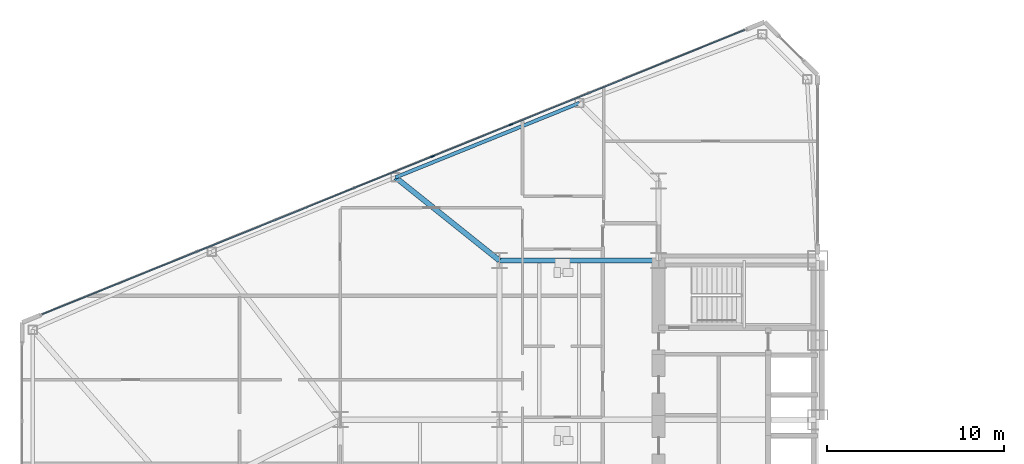
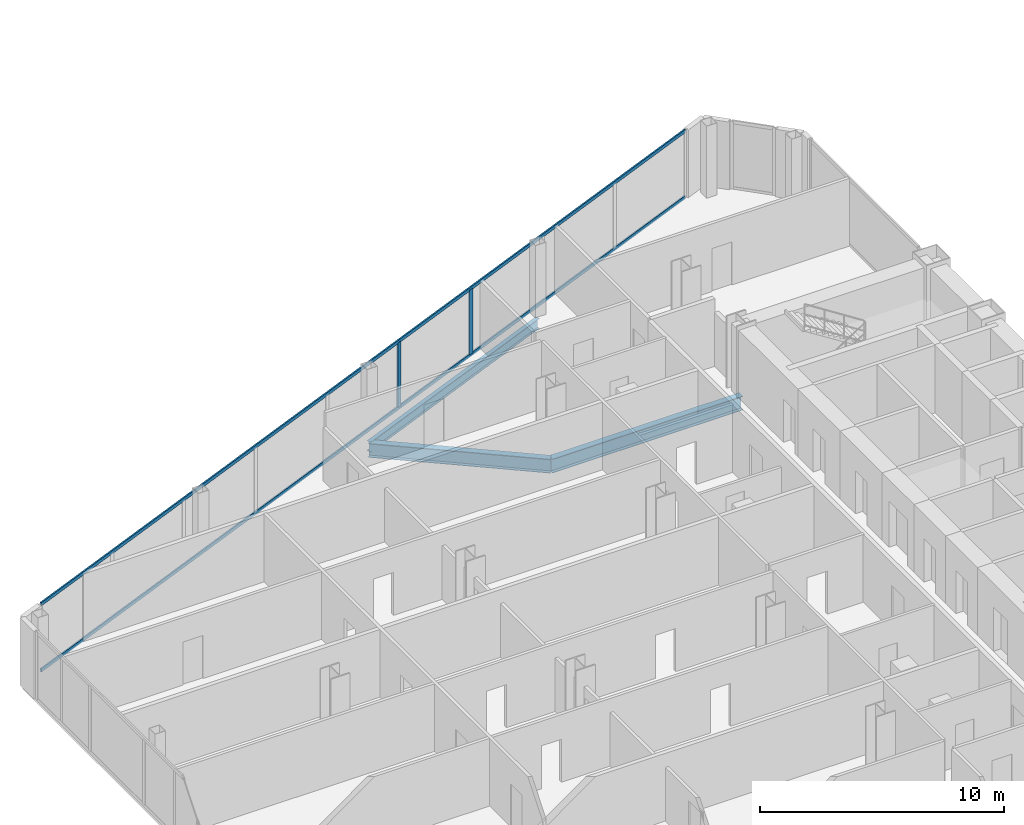
# One storey, part 7 of 25: 4 members, 3 beams, 1 element without a shape of its own.
"""IFC4 building model written with IfcOpenShell, lengths in metres."""

from ifc_helpers import new_model, si_unit, direction, frame, origin, origin_2d, place, context, subcontext, project, spatial, rectangle, i_section, extrude, source, transform, mapped, material, layer, layer_set, material_profile, profile_set, type_object, type_shapes, element, aggregate, save


model = new_model("IFC4")

# Units and contexts
model_context = context("Model", 3, precision=1e-05, world=origin(), true_north=direction((0.0, 1.0)))
body_context = subcontext(model_context, "Body", "Model", "MODEL_VIEW")
ifc_project = project(units=[si_unit("LENGTHUNIT", "METRE"), si_unit("AREAUNIT", "SQUARE_METRE"), si_unit("VOLUMEUNIT", "CUBIC_METRE"), si_unit("PLANEANGLEUNIT", "RADIAN"), si_unit("MASSUNIT", "GRAM", prefix="KILO")], contexts=[model_context])

# Site, building, storey
site_placement = place(None, origin())
site = spatial("IfcSite", under=ifc_project, at=site_placement, CompositionType="ELEMENT")
building_placement = place(site_placement, origin())
building = spatial("IfcBuilding", under=site, at=building_placement, Name="Seokmaru Belvedere", CompositionType="ELEMENT")
storey_placement = place(building_placement, frame((0.0, 0.0, 29.699951171875)))
storey = spatial("IfcBuildingStorey", under=building, at=storey_placement, Name="L07", CompositionType="ELEMENT", Elevation=29.699951171875)

# Beams
ifc_material_1 = material(Name="Steel SM355 (355 MPa)", Category="steel")
ifc_material_profile_1 = material_profile(ifc_material_1, i_section(OverallWidth=0.300048828125, OverallDepth=0.699951171875, WebThickness=0.012939453125, FlangeThickness=0.02392578125, at=origin_2d()), Name="H-700x300x13x24")
ifc_profile_set_1 = profile_set([ifc_material_profile_1], Name="Steel SM355 (355 MPa)")
beam_type_1 = type_object("IfcBeamType", Name="Primary Floor Girder H-700", PredefinedType="BEAM", material=ifc_profile_set_1)
shared_shape_1 = source(origin(), body_context, "Body", "SweptSolid", [
    extrude(i_section(OverallWidth=0.300048828125, OverallDepth=0.699951171875, WebThickness=0.012939453125, FlangeThickness=0.02392578125, at=origin_2d()), origin(), (0.0, 0.0, 1.0), 9.0),
])
beam_1_placement = place(storey_placement, frame((-45.5, 13.5, -0.570068359375), z_axis=(1.0, 0.0, 0.0), x_axis=(0.0, 1.0, 0.0)))
element("IfcBeam", 1, at=beam_1_placement, inside=storey, type_object=beam_type_1, Name="L07 W Wing Primary Girder 4", PredefinedType="BEAM", context=body_context, shape_type="MappedRepresentation", body=[
    mapped(shared_shape_1, transform((0.0, 0.0, 0.0), scale=1.0)),
])
ifc_material_profile_2 = material_profile(ifc_material_1, i_section(OverallWidth=0.199951171875, OverallDepth=0.5, WebThickness=0.010009765625, FlangeThickness=0.01611328125, at=origin_2d()), Name="H-500x200x10x16")
ifc_profile_set_2 = profile_set([ifc_material_profile_2], Name="Steel SM355 (355 MPa)")
beam_type_2 = type_object("IfcBeamType", Name="Perimeter Spandrel Beam H-500", PredefinedType="SPANDREL", material=ifc_profile_set_2)
shared_shape_2 = source(origin(), body_context, "Body", "SweptSolid", [
    extrude(i_section(OverallWidth=0.199951171875, OverallDepth=0.5, WebThickness=0.010009765625, FlangeThickness=0.01611328125, at=origin_2d()), origin(), (0.0, 0.0, 1.0), 11.220703125),
])
type_shapes(beam_type_2, [shared_shape_2])
beam_2_placement = place(storey_placement, frame((-40.977294921875, 22.4140625, -0.469970703125), z_axis=(-0.926944290816, -0.375198989503, 0.0), x_axis=(0.375198989503, -0.926944290816, 0.0)))
element("IfcBeam", 2, at=beam_2_placement, inside=storey, type_object=beam_type_2, Name="L07 W Faceted Flank Spandrel N-2", PredefinedType="SPANDREL", context=body_context, shape_type="MappedRepresentation", body=[
    mapped(shared_shape_2, transform((0.0, 0.0, 0.0), scale=1.0)),
])
shared_shape_3 = source(origin(), body_context, "Body", "SweptSolid", [
    extrude(i_section(OverallWidth=0.300048828125, OverallDepth=0.699951171875, WebThickness=0.012939453125, FlangeThickness=0.02392578125, at=origin_2d()), origin(), (0.0, 0.0, 1.0), 7.52880859375),
])
type_shapes(beam_type_1, [shared_shape_1, shared_shape_3])
beam_3_placement = place(storey_placement, frame((-51.378173828125, 18.2041015625, -0.570068359375), z_axis=(0.780767560736, -0.624821587418, 0.0), x_axis=(0.624821587418, 0.780767560736, 0.0)))
element("IfcBeam", 3, at=beam_3_placement, inside=storey, type_object=beam_type_1, Name="L07 W Flank Radial Floor Girder N-2", PredefinedType="BEAM", context=body_context, shape_type="MappedRepresentation", body=[
    mapped(shared_shape_3, transform((0.0, 0.0, 0.0), scale=1.0)),
])

# Curtain wall, members
ifc_material_2 = material(Name="Bronze Triple Insulating Glass", Category="glass")
ifc_layer = layer(ifc_material_2, 0.2099609375)
ifc_layer_set = layer_set([ifc_layer], Name="Bronze Triple Insulating Glass")
curtain_wall_type = type_object("IfcCurtainWallType", Name="Low-Rise Faceted Crystal Curtain Wall System CW-2", PredefinedType="NOTDEFINED", material=ifc_layer_set)
curtain_wall_placement = place(storey_placement, origin())
curtain_wall = element("IfcCurtainWall", 4, at=curtain_wall_placement, inside=storey, type_object=curtain_wall_type, Name="L07 Curtain Wall WF3", PredefinedType="NOTDEFINED")
ifc_material_3 = material(Name="Anodised Bronze Aluminium", Category="aluminium")
ifc_material_profile_3 = material_profile(ifc_material_3, rectangle(XDim=0.074951171875, YDim=0.2099609375, at=origin_2d()), Name="CW-M-75x210")
ifc_profile_set_3 = profile_set([ifc_material_profile_3], Name="Anodised Bronze Aluminium")
member_type_1 = type_object("IfcMemberType", Name="Bronze Unitised Mullion 75x210", PredefinedType="MULLION", material=ifc_profile_set_3)
shared_shape_4 = source(origin(), body_context, "Body", "SweptSolid", [
    extrude(rectangle(XDim=0.074951171875, YDim=0.2099609375, at=origin_2d()), origin(), (0.0, 0.0, 1.0), 3.239990234375),
])
type_shapes(member_type_1, [shared_shape_4])
member_1_placement = place(storey_placement, frame((-44.855224609375, 21.189453125, 0.070068359375), z_axis=(0.0, 0.0, 1.0), x_axis=(0.375192321888, -0.926946989637, 0.0)))
member_1 = element("IfcMember", 5, at=member_1_placement, type_object=member_type_1, Name="CW:L07:WF3 Mullion 4", PredefinedType="MULLION", context=body_context, shape_type="MappedRepresentation", body=[
    mapped(shared_shape_4, transform((0.0, 0.0, 0.0), scale=1.0)),
])
member_2_placement = place(storey_placement, frame((-49.28515625, 19.396484375, 0.070068359375), z_axis=(0.0, 0.0, 1.0), x_axis=(0.375192321888, -0.926946989637, 0.0)))
member_2 = element("IfcMember", 6, at=member_2_placement, type_object=member_type_1, Name="CW:L07:WF3 Mullion 5", PredefinedType="MULLION", context=body_context, shape_type="MappedRepresentation", body=[
    mapped(shared_shape_4, transform((0.0, 0.0, 0.0), scale=1.0)),
])
ifc_material_profile_4 = material_profile(ifc_material_3, rectangle(XDim=0.070068359375, YDim=0.1650390625, at=origin_2d()), Name="CW-T-70x165")
ifc_profile_set_4 = profile_set([ifc_material_profile_4], Name="Anodised Bronze Aluminium")
member_type_2 = type_object("IfcMemberType", Name="Bronze Unitised Transom 70x165", PredefinedType="USERDEFINED", material=ifc_profile_set_4)
shared_shape_5 = source(origin(), body_context, "Body", "SweptSolid", [
    extrude(rectangle(XDim=0.070068359375, YDim=0.1650390625, at=origin_2d()), origin(), (0.0, 0.0, 1.0), 42.860107421875),
])
type_shapes(member_type_2, [shared_shape_5])
member_3_placement = place(storey_placement, frame((-31.635498046875, 26.540283203125, 0.03515625), z_axis=(-0.926948605599, -0.375188329481, 0.0), x_axis=(0.375188329481, -0.926948605599, 0.0)))
member_3 = element("IfcMember", 7, at=member_3_placement, type_object=member_type_2, Name="CW:L07:WF3 Continuous Transom 1", ObjectType="TRANSOM", PredefinedType="USERDEFINED", context=body_context, shape_type="MappedRepresentation", body=[
    mapped(shared_shape_5, transform((0.0, 0.0, 0.0), scale=1.0)),
])
member_4_placement = place(storey_placement, frame((-31.635498046875, 26.540283203125, 3.344970703125), z_axis=(-0.926948605599, -0.375188329481, 0.0), x_axis=(0.375188329481, -0.926948605599, 0.0)))
member_4 = element("IfcMember", 8, at=member_4_placement, type_object=member_type_2, Name="CW:L07:WF3 Continuous Transom 2", ObjectType="TRANSOM", PredefinedType="USERDEFINED", context=body_context, shape_type="MappedRepresentation", body=[
    mapped(shared_shape_5, transform((0.0, 0.0, 0.0), scale=1.0)),
])
aggregate(curtain_wall, [member_1, member_2, member_3, member_4])

save(model, "model.ifc")
